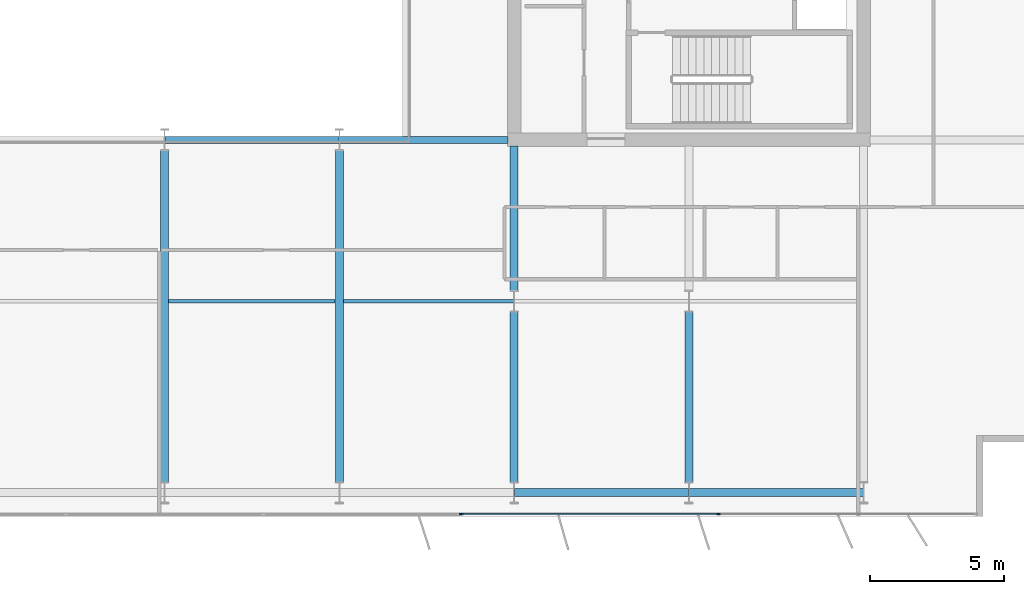
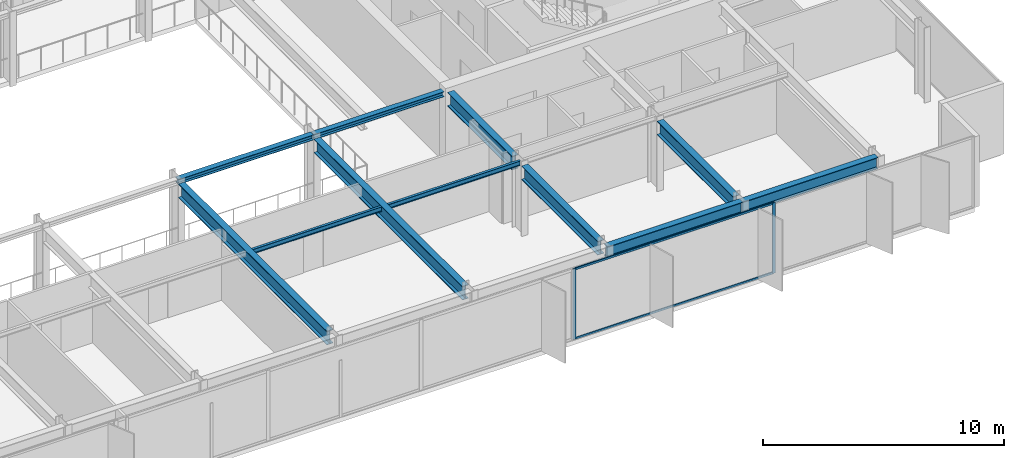
# One storey, part 7 of 23: 11 beams, 4 members, 1 element without a shape of its own.
"""IFC4 building model written with IfcOpenShell, lengths in metres."""

from ifc_helpers import new_model, si_unit, direction, frame, origin, origin_2d, place, context, subcontext, project, spatial, rectangle, i_section, extrude, material, layer, layer_set, material_profile, profile_set, type_object, element, aggregate, save


model = new_model("IFC4")

# Units and contexts
model_context = context("Model", 3, precision=1e-05, world=origin(), true_north=direction((0.0, 1.0)))
body_context = subcontext(model_context, "Body", "Model", "MODEL_VIEW")
ifc_project = project(units=[si_unit("LENGTHUNIT", "METRE"), si_unit("AREAUNIT", "SQUARE_METRE"), si_unit("VOLUMEUNIT", "CUBIC_METRE"), si_unit("PLANEANGLEUNIT", "RADIAN"), si_unit("MASSUNIT", "GRAM", prefix="KILO")], contexts=[model_context])

# Site, building, storey
site_placement = place(None, origin())
site = spatial("IfcSite", under=ifc_project, at=site_placement, CompositionType="ELEMENT")
building_placement = place(site_placement, origin())
building = spatial("IfcBuilding", under=site, at=building_placement, Name="Putna Gate Headquarters", CompositionType="ELEMENT")
storey_placement = place(building_placement, frame((0.0, 0.0, 217.60009765625)))
storey = spatial("IfcBuildingStorey", under=building, at=storey_placement, Name="L54", CompositionType="ELEMENT", Elevation=217.60009765625)

# Beams
ifc_material_1 = material(Name="Steel S355J2", Category="steel")
ifc_material_profile_1 = material_profile(ifc_material_1, i_section(OverallWidth=0.260009765625, OverallDepth=0.260009765625, WebThickness=0.010009765625, FlangeThickness=0.017578125, at=origin_2d()), Name="Steel S355J2")
ifc_profile_set_1 = profile_set([ifc_material_profile_1], Name="Steel S355J2")
beam_type_1 = type_object("IfcBeamType", Name="BM-ATRIUM-HEB260", PredefinedType="BEAM", material=ifc_profile_set_1)
beam_1_placement = place(storey_placement, frame((39.006103515625, 19.0, 3.449951171875), z_axis=(1.0, 0.0, 0.0), x_axis=(0.0, 1.0, 0.0)))
element("IfcBeam", 1, at=beam_1_placement, inside=storey, type_object=beam_type_1, Name="L54 Atrium Edge Beam AS3", PredefinedType="BEAM", context=body_context, shape_type="SweptSolid", body=[
    extrude(i_section(OverallWidth=0.260009765625, OverallDepth=0.260009765625, WebThickness=0.010009765625, FlangeThickness=0.017578125, at=origin_2d()), origin(), (0.0, 0.0, 1.0), 6.48779296875),
])
beam_2_placement = place(storey_placement, frame((45.506103515625, 19.0, 3.449951171875), z_axis=(1.0, 0.0, 0.0), x_axis=(0.0, 1.0, 0.0)))
element("IfcBeam", 2, at=beam_2_placement, inside=storey, type_object=beam_type_1, Name="L54 Atrium Edge Beam AS4", PredefinedType="BEAM", context=body_context, shape_type="SweptSolid", body=[
    extrude(i_section(OverallWidth=0.260009765625, OverallDepth=0.260009765625, WebThickness=0.010009765625, FlangeThickness=0.017578125, at=origin_2d()), origin(), (0.0, 0.0, 1.0), 6.2587890625),
])
ifc_material_profile_2 = material_profile(ifc_material_1, i_section(OverallWidth=0.300048828125, OverallDepth=0.699951171875, WebThickness=0.01708984375, FlangeThickness=0.031982421875, at=origin_2d()), Name="Steel S355J2")
ifc_profile_set_2 = profile_set([ifc_material_profile_2], Name="Steel S355J2")
beam_type_2 = type_object("IfcBeamType", Name="BM-GIRD-B-HEB700", PredefinedType="USERDEFINED", material=ifc_profile_set_2)
for number, where, z_axis, x_axis, name in (
    (3, (39.0, 6.27490234375, 3.22998046875), (0.0, 1.0, 0.0), (-1.0, 0.0, 0.0), "L54 South Primary Girder X39"),
    (4, (45.5, 6.27490234375, 3.22998046875), (0.0, 1.0, 0.0), (-1.0, 0.0, 0.0), "L54 South Primary Girder X45"),
):
    element("IfcBeam", number, at=place(storey_placement, frame(where, z_axis=z_axis, x_axis=x_axis)), inside=storey, type_object=beam_type_2, Name=name, ObjectType="GIRDER", PredefinedType="USERDEFINED", context=body_context, shape_type="SweptSolid", body=[
        extrude(i_section(OverallWidth=0.300048828125, OverallDepth=0.699951171875, WebThickness=0.01708984375, FlangeThickness=0.031982421875, at=origin_2d()), origin(), (0.0, 0.0, 1.0), 12.330078125),
    ])
beam_3_placement = place(storey_placement, frame((52.0, 6.27490234375, 3.22998046875), z_axis=(0.0, 1.0, 0.0), x_axis=(-1.0, 0.0, 0.0)))
element("IfcBeam", 5, at=beam_3_placement, inside=storey, type_object=beam_type_2, Name="L54 South Primary Girder X52-1", ObjectType="GIRDER", PredefinedType="USERDEFINED", context=body_context, shape_type="SweptSolid", body=[
    extrude(i_section(OverallWidth=0.300048828125, OverallDepth=0.699951171875, WebThickness=0.01708984375, FlangeThickness=0.031982421875, at=origin_2d()), origin(), (0.0, 0.0, 1.0), 6.330078125),
])
beam_4_placement = place(storey_placement, frame((52.0, 13.39501953125, 3.22998046875), z_axis=(0.0, 1.0, 0.0), x_axis=(-1.0, 0.0, 0.0)))
element("IfcBeam", 6, at=beam_4_placement, inside=storey, type_object=beam_type_2, Name="L54 South Primary Girder X52-2", ObjectType="GIRDER", PredefinedType="USERDEFINED", context=body_context, shape_type="SweptSolid", body=[
    extrude(i_section(OverallWidth=0.300048828125, OverallDepth=0.699951171875, WebThickness=0.01708984375, FlangeThickness=0.031982421875, at=origin_2d()), origin(), (0.0, 0.0, 1.0), 5.369873046875),
])
beam_5_placement = place(storey_placement, frame((58.5, 6.27490234375, 3.22998046875), z_axis=(0.0, 1.0, 0.0), x_axis=(-1.0, 0.0, 0.0)))
element("IfcBeam", 7, at=beam_5_placement, inside=storey, type_object=beam_type_2, Name="L54 South Primary Girder X58-1", ObjectType="GIRDER", PredefinedType="USERDEFINED", context=body_context, shape_type="SweptSolid", body=[
    extrude(i_section(OverallWidth=0.300048828125, OverallDepth=0.699951171875, WebThickness=0.01708984375, FlangeThickness=0.031982421875, at=origin_2d()), origin(), (0.0, 0.0, 1.0), 6.330078125),
])
ifc_material_profile_3 = material_profile(ifc_material_1, i_section(OverallWidth=0.1201171875, OverallDepth=0.239990234375, WebThickness=0.006103515625, FlangeThickness=0.009765625, at=origin_2d()), Name="Steel S355J2")
ifc_profile_set_3 = profile_set([ifc_material_profile_3], Name="Steel S355J2")
beam_type_3 = type_object("IfcBeamType", Name="BM-SEC-Z4-IPE240", PredefinedType="JOIST", material=ifc_profile_set_3)
beam_6_placement = place(storey_placement, frame((39.154052734375, 13.0, 3.4599609375), z_axis=(1.0, 0.0, 0.0), x_axis=(0.0, 1.0, 0.0)))
element("IfcBeam", 8, at=beam_6_placement, inside=storey, type_object=beam_type_3, Name="L54 South Secondary Beam 5", PredefinedType="JOIST", context=body_context, shape_type="SweptSolid", body=[
    extrude(i_section(OverallWidth=0.1201171875, OverallDepth=0.239990234375, WebThickness=0.006103515625, FlangeThickness=0.009765625, at=origin_2d()), origin(), (0.0, 0.0, 1.0), 6.19189453125),
])
beam_7_placement = place(storey_placement, frame((45.654052734375, 13.0, 3.4599609375), z_axis=(1.0, 0.0, 0.0), x_axis=(0.0, 1.0, 0.0)))
element("IfcBeam", 9, at=beam_7_placement, inside=storey, type_object=beam_type_3, Name="L54 South Secondary Beam 6", PredefinedType="JOIST", context=body_context, shape_type="SweptSolid", body=[
    extrude(i_section(OverallWidth=0.1201171875, OverallDepth=0.239990234375, WebThickness=0.006103515625, FlangeThickness=0.009765625, at=origin_2d()), origin(), (0.0, 0.0, 1.0), 6.33984375),
])
ifc_material_profile_4 = material_profile(ifc_material_1, i_section(OverallWidth=0.300048828125, OverallDepth=0.590087890625, WebThickness=0.012939453125, FlangeThickness=0.02490234375, at=origin_2d()), Name="Steel S355J2")
ifc_profile_set_4 = profile_set([ifc_material_profile_4], Name="Steel S355J2")
beam_type_4 = type_object("IfcBeamType", Name="BM-SPAN-Z4-HEA600", PredefinedType="SPANDREL", material=ifc_profile_set_4)
for number, where, z_axis, x_axis, name in (
    (10, (52.006103515625, 5.8798828125, 3.284912109375), (1.0, 0.0, 0.0), (0.0, 1.0, 0.0), "L54 S Perimeter Spandrel 7"),
    (11, (58.506103515625, 5.8798828125, 3.284912109375), (1.0, 0.0, 0.0), (0.0, 1.0, 0.0), "L54 S Perimeter Spandrel 8"),
):
    element("IfcBeam", number, at=place(storey_placement, frame(where, z_axis=z_axis, x_axis=x_axis)), inside=storey, type_object=beam_type_4, Name=name, PredefinedType="SPANDREL", context=body_context, shape_type="SweptSolid", body=[
        extrude(i_section(OverallWidth=0.300048828125, OverallDepth=0.590087890625, WebThickness=0.012939453125, FlangeThickness=0.02490234375, at=origin_2d()), origin(), (0.0, 0.0, 1.0), 6.48779296875),
    ])

# Curtain wall, members
ifc_material_2 = material(Name="Anodised bronze aluminium curtain wall", Category="aluminium")
ifc_layer = layer(ifc_material_2, 0.139892578125)
ifc_layer_set = layer_set([ifc_layer], Name="Anodised bronze aluminium curtain wall")
curtain_wall_type = type_object("IfcCurtainWallType", Name="CW-SYS-Z4", PredefinedType="USERDEFINED", material=ifc_layer_set)
curtain_wall_placement = place(storey_placement, origin())
curtain_wall = element("IfcCurtainWall", 12, at=curtain_wall_placement, inside=storey, type_object=curtain_wall_type, Name="L54 South East Curtain Wall", ObjectType="STICK CURTAIN WALL", PredefinedType="USERDEFINED")
ifc_material_3 = material(Name="Anodised bronze aluminium EN AW-6060", Category="aluminium")
ifc_material_profile_5 = material_profile(ifc_material_3, rectangle(XDim=0.06005859375, YDim=0.139892578125, at=origin_2d()), Name="Anodised bronze aluminium EN AW-6060")
ifc_profile_set_5 = profile_set([ifc_material_profile_5], Name="Anodised bronze aluminium EN AW-6060")
member_type_1 = type_object("IfcMemberType", Name="MULL-CWM-4", PredefinedType="MULLION", material=ifc_profile_set_5)
member_1_placement = place(storey_placement, frame((50.030029296875, 5.080078125, 0.0), z_axis=(0.0, 0.0, 1.0), x_axis=(0.0, 1.0, 0.0)))
member_1 = element("IfcMember", 13, at=member_1_placement, type_object=member_type_1, Name="CWS-4 mullion 1", PredefinedType="MULLION", context=body_context, shape_type="SweptSolid", body=[
    extrude(rectangle(XDim=0.06005859375, YDim=0.139892578125, at=origin_2d()), origin(), (0.0, 0.0, 1.0), 3.579833984375),
])
member_2_placement = place(storey_placement, frame((59.60009765625, 5.080078125, 0.0), z_axis=(0.0, 0.0, 1.0), x_axis=(0.0, 1.0, 0.0)))
member_2 = element("IfcMember", 14, at=member_2_placement, type_object=member_type_1, Name="CWS-4 mullion 2", PredefinedType="MULLION", context=body_context, shape_type="SweptSolid", body=[
    extrude(rectangle(XDim=0.06005859375, YDim=0.139892578125, at=origin_2d()), origin(), (0.0, 0.0, 1.0), 3.579833984375),
])
ifc_material_profile_6 = material_profile(ifc_material_3, rectangle(XDim=0.06005859375, YDim=0.10009765625, at=origin_2d()), Name="Anodised bronze aluminium EN AW-6060")
ifc_profile_set_6 = profile_set([ifc_material_profile_6], Name="Anodised bronze aluminium EN AW-6060")
member_type_2 = type_object("IfcMemberType", Name="TRAN-CWT-4", PredefinedType="USERDEFINED", material=ifc_profile_set_6)
member_3_placement = place(storey_placement, frame((50.06005859375, 5.080078125, 0.02978515625), z_axis=(1.0, 0.0, 0.0), x_axis=(0.0, 1.0, 0.0)))
member_3 = element("IfcMember", 15, at=member_3_placement, type_object=member_type_2, Name="CWS-4 transom 1.1", ObjectType="TRANSOM", PredefinedType="USERDEFINED", context=body_context, shape_type="SweptSolid", body=[
    extrude(rectangle(XDim=0.06005859375, YDim=0.10009765625, at=origin_2d()), origin(), (0.0, 0.0, 1.0), 9.510009765625),
])
member_4_placement = place(storey_placement, frame((50.06005859375, 5.080078125, 3.5498046875), z_axis=(1.0, 0.0, 0.0), x_axis=(0.0, 1.0, 0.0)))
member_4 = element("IfcMember", 16, at=member_4_placement, type_object=member_type_2, Name="CWS-4 transom 1.2", ObjectType="TRANSOM", PredefinedType="USERDEFINED", context=body_context, shape_type="SweptSolid", body=[
    extrude(rectangle(XDim=0.06005859375, YDim=0.10009765625, at=origin_2d()), origin(), (0.0, 0.0, 1.0), 9.510009765625),
])
aggregate(curtain_wall, [member_1, member_2, member_3, member_4])

save(model, "model.ifc")
